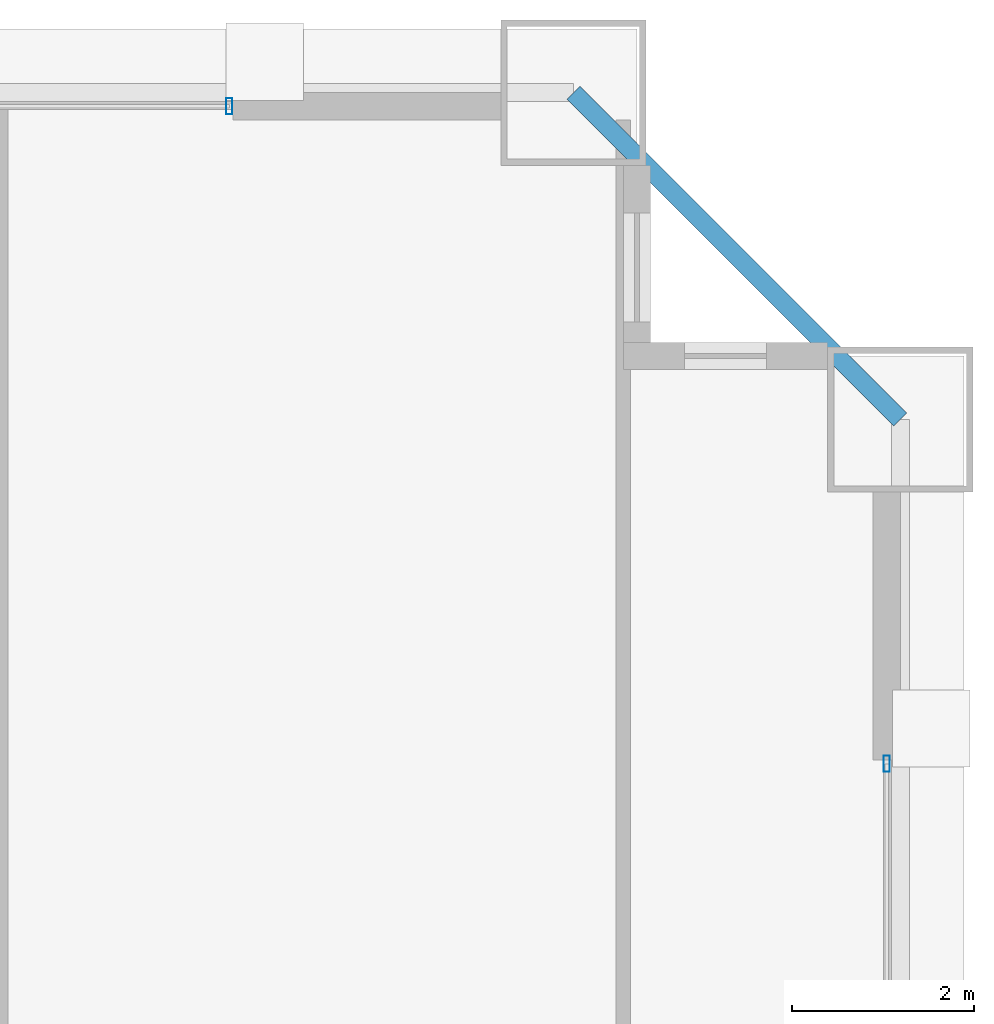
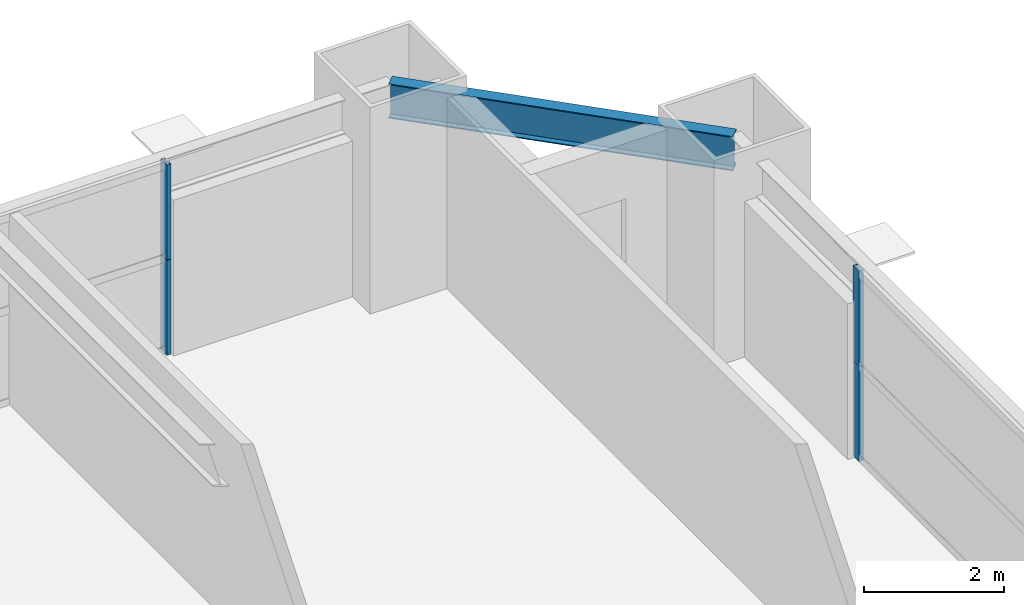
# One storey, part 32 of 38: 4 members, 1 beam, 2 elements without a shape of their own.
"""IFC4 building model written with IfcOpenShell, lengths in metres."""

from ifc_helpers import new_model, si_unit, direction, frame, origin, origin_2d, place, context, subcontext, project, spatial, hollow_rectangle, i_section, extrude, source, transform, mapped, material, layer, layer_set, material_profile, profile_set, type_object, element, aggregate, save


model = new_model("IFC4")

# Units and contexts
model_context = context("Model", 3, precision=1e-05, world=origin(), true_north=direction((0.0, 1.0)))
body_context = subcontext(model_context, "Body", "Model", "MODEL_VIEW")
ifc_project = project(units=[si_unit("LENGTHUNIT", "METRE"), si_unit("AREAUNIT", "SQUARE_METRE"), si_unit("VOLUMEUNIT", "CUBIC_METRE"), si_unit("PLANEANGLEUNIT", "RADIAN"), si_unit("MASSUNIT", "GRAM", prefix="KILO"), si_unit("THERMODYNAMICTEMPERATUREUNIT", "KELVIN"), si_unit("POWERUNIT", "WATT")], contexts=[model_context])

# Site, building, storey
site_placement = place(None, origin())
site = spatial("IfcSite", under=ifc_project, at=site_placement, CompositionType="ELEMENT")
building_placement = place(site_placement, origin())
building = spatial("IfcBuilding", under=site, at=building_placement, Name="Yuzanri Waterfront Tower", CompositionType="ELEMENT")
storey_placement = place(building_placement, frame((0.0, 0.0, 126.199951171875)))
storey = spatial("IfcBuildingStorey", under=building, at=storey_placement, Name="L33", CompositionType="ELEMENT", Elevation=126.199951171875)

# Beam
ifc_material_1 = material(Name="Steel Q355B", Category="steel")
ifc_material_profile_1 = material_profile(ifc_material_1, i_section(OverallWidth=0.199951171875, OverallDepth=0.60009765625, WebThickness=0.010986328125, FlangeThickness=0.01708984375, at=origin_2d()), Name="HN 600x200x11x17")
ifc_profile_set_1 = profile_set([ifc_material_profile_1], Name="Steel Q355B")
beam_type = type_object("IfcBeamType", Name="Perimeter Spandrel Q355B HN 600x200", PredefinedType="SPANDREL", material=ifc_profile_set_1)
shared_shape_1 = source(origin(), body_context, "Body", "SweptSolid", [
    extrude(i_section(OverallWidth=0.199951171875, OverallDepth=0.60009765625, WebThickness=0.010986328125, FlangeThickness=0.01708984375, at=origin_2d()), origin(), (0.0, 0.0, 1.0), 5.091064453125),
])
beam_placement = place(storey_placement, frame((60.60009765625, 45.800048828125, 3.02001953125), z_axis=(-0.707130757816, 0.707082803744, 0.0), x_axis=(-0.707082803744, -0.707130757816, 0.0)))
element("IfcBeam", 1, at=beam_placement, inside=storey, type_object=beam_type, Name="L33 Perimeter Spandrel E3-N3", PredefinedType="SPANDREL", context=body_context, shape_type="MappedRepresentation", body=[
    mapped(shared_shape_1, transform((0.0, 0.0, 0.0), scale=1.0)),
])

# Curtain wall, members
ifc_material_2 = material(Name="Anodized Architectural Bronze", Category="metal")
ifc_layer = layer(ifc_material_2, 0.159912109375)
ifc_layer_set = layer_set([ifc_layer], Name="Anodized Architectural Bronze")
curtain_wall_type = type_object("IfcCurtainWallType", Name="Anodized Bronze Hotel Upper-Tier Solar-Control Unitized Curtain Wall 7800", PredefinedType="NOTDEFINED", material=ifc_layer_set)
curtain_wall_1_placement = place(storey_placement, origin())
curtain_wall_1 = element("IfcCurtainWall", 2, at=curtain_wall_1_placement, inside=storey, type_object=curtain_wall_type, Name="L33 Curtain Wall CW-L33-NR", PredefinedType="NOTDEFINED")
ifc_material_3 = material(Name="Anodized Architectural Bronze", Category="metal")
ifc_material_profile_2 = material_profile(ifc_material_3, hollow_rectangle(XDim=0.070068359375, YDim=0.179931640625, WallThickness=0.00390625, at=origin_2d()), Name="CWM 70x180")
ifc_profile_set_2 = profile_set([ifc_material_profile_2], Name="Anodized Architectural Bronze")
member_type = type_object("IfcMemberType", Name="Anodized Bronze Standard Curtain-Wall Mullion 70x180", PredefinedType="MULLION", material=ifc_profile_set_2)
shared_shape_2 = source(origin(), body_context, "Body", "SweptSolid", [
    extrude(hollow_rectangle(XDim=0.070068359375, YDim=0.179931640625, WallThickness=0.00390625, at=origin_2d()), origin(), (0.0, 0.0, 1.0), 1.657958984375),
])
member_1_placement = place(storey_placement, frame((53.2099609375, 49.25, 0.0), z_axis=(0.0, 0.0, 1.0), x_axis=(1.0, 0.0, 0.0)))
member_1 = element("IfcMember", 3, at=member_1_placement, type_object=member_type, Name="CW-L33-NR Lower Mullion 02", PredefinedType="MULLION", context=body_context, shape_type="MappedRepresentation", body=[
    mapped(shared_shape_2, transform((0.0, 0.0, 0.0), scale=1.0)),
])
member_2_placement = place(storey_placement, frame((53.2099609375, 49.25, 1.662109375), z_axis=(0.0, 0.0, 1.0), x_axis=(1.0, 0.0, 0.0)))
member_2 = element("IfcMember", 4, at=member_2_placement, type_object=member_type, Name="CW-L33-NR Upper Mullion 02", PredefinedType="MULLION", context=body_context, shape_type="MappedRepresentation", body=[
    mapped(shared_shape_2, transform((0.0, 0.0, 0.0), scale=1.0)),
])
aggregate(curtain_wall_1, [member_1, member_2])

curtain_wall_2_placement = place(storey_placement, origin())
curtain_wall_2 = element("IfcCurtainWall", 5, at=curtain_wall_2_placement, inside=storey, type_object=curtain_wall_type, Name="L33 Curtain Wall CW-L33-ER", PredefinedType="NOTDEFINED")
member_3_placement = place(storey_placement, frame((60.449951171875, 42.010009765625, 0.0), z_axis=(0.0, 0.0, 1.0), x_axis=(1.0, 0.0, 0.0)))
member_3 = element("IfcMember", 6, at=member_3_placement, type_object=member_type, Name="CW-L33-ER Lower Mullion 02", PredefinedType="MULLION", context=body_context, shape_type="MappedRepresentation", body=[
    mapped(shared_shape_2, transform((0.0, 0.0, 0.0), scale=1.0)),
])
member_4_placement = place(storey_placement, frame((60.449951171875, 42.010009765625, 1.662109375), z_axis=(0.0, 0.0, 1.0), x_axis=(1.0, 0.0, 0.0)))
member_4 = element("IfcMember", 7, at=member_4_placement, type_object=member_type, Name="CW-L33-ER Upper Mullion 02", PredefinedType="MULLION", context=body_context, shape_type="MappedRepresentation", body=[
    mapped(shared_shape_2, transform((0.0, 0.0, 0.0), scale=1.0)),
])
aggregate(curtain_wall_2, [member_3, member_4])

save(model, "model.ifc")
